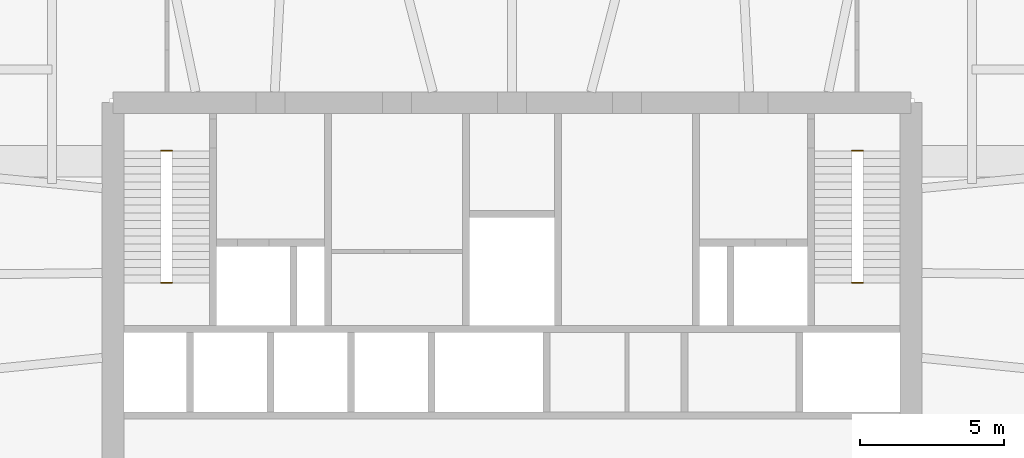
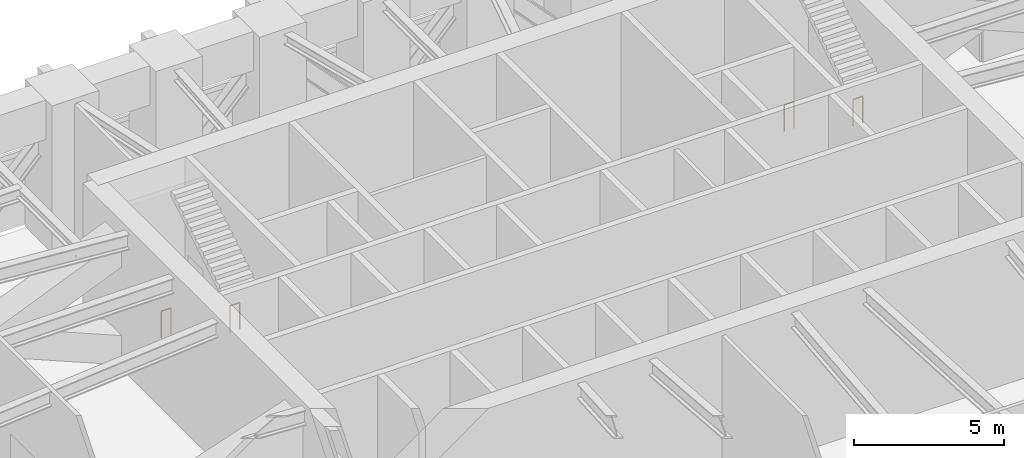
# One storey, part 9 of 9: 4 railings.
"""IFC4 building model written with IfcOpenShell, lengths in metres."""

from ifc_helpers import new_model, si_unit, direction, frame, origin, origin_2d, place, context, subcontext, project, spatial, circle, extrude, material, type_object, element, save


model = new_model("IFC4")

# Units and contexts
model_context = context("Model", 3, precision=1e-05, world=origin(), true_north=direction((0.0, 1.0)))
body_context = subcontext(model_context, "Body", "Model", "MODEL_VIEW")
ifc_project = project(units=[si_unit("LENGTHUNIT", "METRE"), si_unit("AREAUNIT", "SQUARE_METRE"), si_unit("VOLUMEUNIT", "CUBIC_METRE"), si_unit("PLANEANGLEUNIT", "RADIAN"), si_unit("MASSUNIT", "GRAM", prefix="KILO")], contexts=[model_context])

# Site, building, storey
site_placement = place(None, origin())
site = spatial("IfcSite", under=ifc_project, at=site_placement, CompositionType="ELEMENT")
building_placement = place(site_placement, origin())
building = spatial("IfcBuilding", under=site, at=building_placement, Name="Isbrekke Arena Tower", CompositionType="ELEMENT")
storey_placement = place(building_placement, frame((0.0, 0.0, 167.0)))
storey = spatial("IfcBuildingStorey", under=building, at=storey_placement, Name="L38", CompositionType="ELEMENT", Elevation=167.0)

# Railings
ifc_material = material(Name="Steel stair guard, vertical bars, steel handrail", Category="steel")
railing_type = type_object("IfcRailingType", Name="GR3 STAIR WELL GUARD 1100", PredefinedType="GUARDRAIL", material=ifc_material)
for number, where, name in (
    (1, (-12.199951171875, 22.199951171875, 0.0), "GR3 stair well guard ST1 L38"),
    (2, (-12.199951171875, 17.610107421875, 3.0), "GR3 stair well guard ST1 L38"),
    (3, (11.824951171875, 22.199951171875, 0.0), "GR3 stair well guard ST2 L38"),
    (4, (11.824951171875, 17.610107421875, 3.0), "GR3 stair well guard ST2 L38"),
):
    element("IfcRailing", number, at=place(storey_placement, frame(where)), inside=storey, type_object=railing_type, Name=name, PredefinedType="GUARDRAIL", context=body_context, shape_type="SweptSolid", body=[
        extrude(circle(Radius=0.02392578125, at=origin_2d()), frame((0.0, 0.0, 1.076171875), z_axis=(1.0, 0.0, 0.0), x_axis=(0.0, 1.0, 0.0)), (0.0, 0.0, 1.0), 0.375),
        extrude(circle(Radius=0.02099609375, at=origin_2d()), origin(), (0.0, 0.0, 1.0), 1.052001953125),
        extrude(circle(Radius=0.02099609375, at=origin_2d()), frame((0.375, 0.0, 0.0)), (0.0, 0.0, 1.0), 1.052001953125),
    ])

save(model, "model.ifc")
